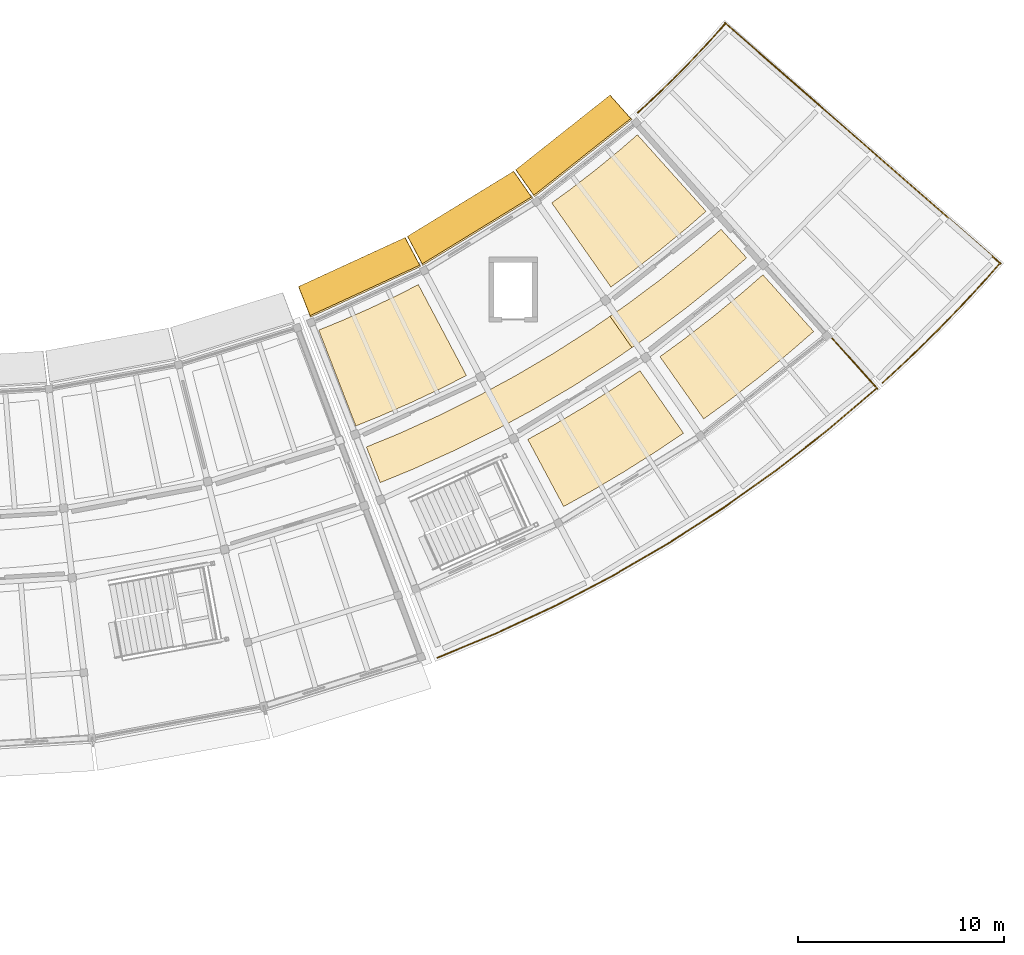
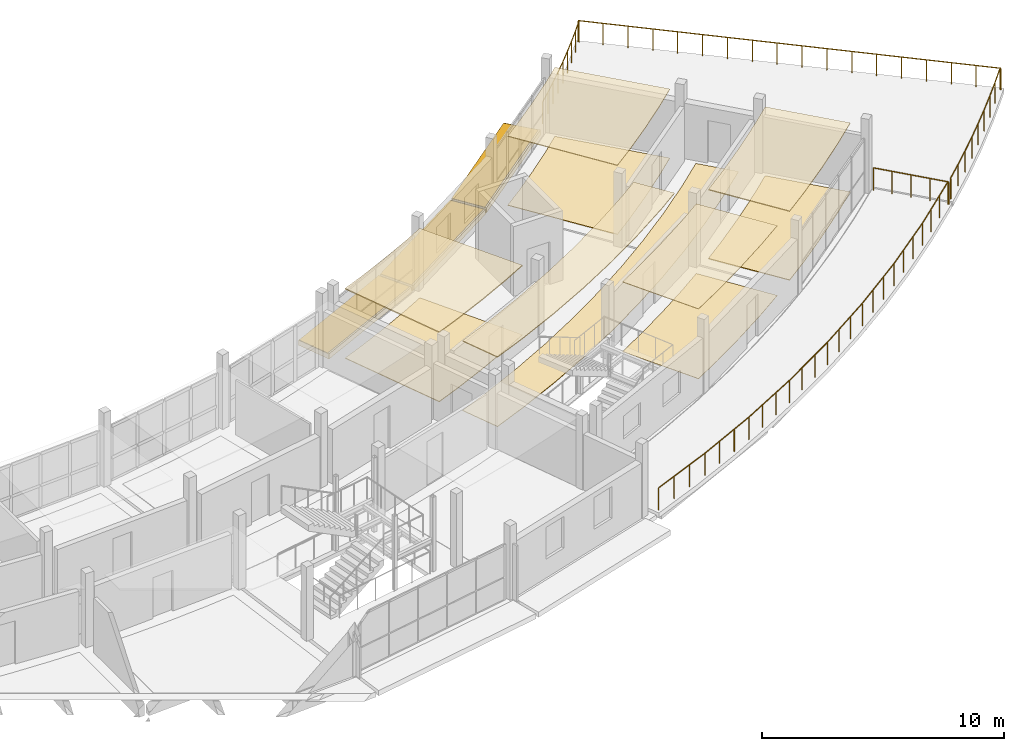
# One storey, part 36 of 36: 13 coverings, 5 railings, 3 shading devices.
"""IFC4 building model written with IfcOpenShell, lengths in metres."""

from ifc_helpers import new_model, si_unit, direction, frame, origin, origin_2d, place, context, subcontext, project, spatial, polyline, circle, outline, extrude, material, layer, layer_set, type_object, element, save


model = new_model("IFC4")

# Units and contexts
model_context = context("Model", 3, precision=1e-05, world=origin(), true_north=direction((0.0, 1.0)))
body_context = subcontext(model_context, "Body", "Model", "MODEL_VIEW")
ifc_project = project(units=[si_unit("LENGTHUNIT", "METRE"), si_unit("AREAUNIT", "SQUARE_METRE"), si_unit("VOLUMEUNIT", "CUBIC_METRE"), si_unit("PLANEANGLEUNIT", "RADIAN"), si_unit("MASSUNIT", "GRAM", prefix="KILO")], contexts=[model_context])

# Site, building, storey
site_placement = place(None, origin())
site = spatial("IfcSite", under=ifc_project, at=site_placement, CompositionType="ELEMENT")
building_placement = place(site_placement, origin())
building = spatial("IfcBuilding", under=site, at=building_placement, Name="Caldaven Crescent School", CompositionType="ELEMENT")
storey_placement = place(building_placement, frame((0.0, 0.0, 11.89990234375)))
storey = spatial("IfcBuildingStorey", under=building, at=storey_placement, Name="L03", CompositionType="ELEMENT", Elevation=11.89990234375)

# Coverings
ifc_material_1 = material(Name="White architectural GFRC precast concrete C35/45 cladding", Category="concrete")
ifc_layer_1 = layer(ifc_material_1, 0.260009765625)
ifc_layer_set_1 = layer_set([ifc_layer_1], Name="White architectural GFRC precast concrete C35/45 cladding")
covering_type_1 = type_object("IfcCoveringType", Name="COV-CLD2", PredefinedType="CLADDING", material=ifc_layer_set_1)
covering_1_placement = place(storey_placement, frame((0.0, 0.0, -0.260009765625)))
element("IfcCovering", 1, at=covering_1_placement, inside=storey, type_object=covering_type_1, Name="CLD-IN-L03-076", PredefinedType="CLADDING", context=body_context, shape_type="SweptSolid", body=[
    extrude(outline(polyline([(106.507568359375, 48.90625), (111.70849609375, 51.298095703125), (112.458251953125, 49.884521484375), (107.0927734375, 47.4169921875), (106.507568359375, 48.90625)])), origin(), (0.0, 0.0, 1.0), 0.260009765625),
])
covering_2_placement = place(storey_placement, frame((0.0, 0.0, -0.260009765625)))
element("IfcCovering", 2, at=covering_2_placement, inside=storey, type_object=covering_type_1, Name="CLD-IN-L03-077", PredefinedType="CLADDING", context=body_context, shape_type="SweptSolid", body=[
    extrude(outline(polyline([(111.802001953125, 51.34765625), (116.9794921875, 54.5205078125), (117.89599609375, 53.208984375), (112.5546875, 49.935791015625), (111.802001953125, 51.34765625)])), origin(), (0.0, 0.0, 1.0), 0.260009765625),
])
covering_3_placement = place(storey_placement, frame((0.0, 0.0, -0.260009765625)))
element("IfcCovering", 3, at=covering_3_placement, inside=storey, type_object=covering_type_1, Name="CLD-IN-L03-078", PredefinedType="CLADDING", context=body_context, shape_type="SweptSolid", body=[
    extrude(outline(polyline([(117.06640625, 54.581298828125), (121.6640625, 58.22314453125), (122.728515625, 57.028564453125), (117.9853515625, 53.271728515625), (117.06640625, 54.581298828125)])), origin(), (0.0, 0.0, 1.0), 0.260009765625),
])
ifc_material_2 = material(Name="Perforated Pino Radiata acoustic timber baffle ceiling", Category="wood")
ifc_layer_2 = layer(ifc_material_2, 0.030029296875)
ifc_layer_set_2 = layer_set([ifc_layer_2], Name="Perforated Pino Radiata acoustic timber baffle ceiling")
covering_type_2 = type_object("IfcCoveringType", Name="COV-CLG1", PredefinedType="CEILING", material=ifc_layer_set_2)
covering_4_placement = place(storey_placement, frame((0.0, 0.0, 3.510009765625)))
element("IfcCovering", 4, at=covering_4_placement, inside=storey, type_object=covering_type_2, Name="CLG-L03-180", PredefinedType="CEILING", context=body_context, shape_type="SweptSolid", body=[
    extrude(outline(polyline([(118.856201171875, 42.14306640625), (118.86767578125, 42.149658203125), (120.42578125, 43.0732421875), (120.43701171875, 43.080078125), (121.96728515625, 44.049072265625), (121.978515625, 44.056396484375), (123.112060546875, 44.82177734375), (125.227294921875, 41.7861328125), (123.998046875, 40.956298828125), (122.36474609375, 39.921875), (120.70166015625, 38.93603515625), (119.404052734375, 38.217529296875), (117.659423828125, 41.48046875), (118.856201171875, 42.14306640625)])), origin(), (0.0, 0.0, 1.0), 0.030029296875),
])
ifc_layer_3 = layer(ifc_material_2, 0.0380859375)
ifc_layer_set_3 = layer_set([ifc_layer_3], Name="Perforated Pino Radiata acoustic timber baffle ceiling")
covering_type_3 = type_object("IfcCoveringType", Name="COV-CLG2", PredefinedType="CEILING", material=ifc_layer_set_3)
covering_5_placement = place(storey_placement, frame((0.0, 0.0, 3.47216796875)))
element("IfcCovering", 5, at=covering_5_placement, inside=storey, type_object=covering_type_3, Name="CLG-L03-181", PredefinedType="CEILING", context=body_context, shape_type="SweptSolid", body=[
    extrude(outline(polyline([(119.712646484375, 53.6220703125), (119.72314453125, 53.6298828125), (120.944580078125, 54.572509765625), (120.954833984375, 54.580810546875), (122.14794921875, 55.55859375), (122.157958984375, 55.567138671875), (122.9873046875, 56.288818359375), (126.32421875, 52.5654296875), (125.379150390625, 51.742919921875), (124.062255859375, 50.66357421875), (122.714111328125, 49.623291015625), (121.7001953125, 48.88720703125), (118.822998046875, 52.976318359375), (119.712646484375, 53.6220703125)])), origin(), (0.0, 0.0, 1.0), 0.037841796875),
])
ifc_layer_4 = layer(ifc_material_2, 0.0458984375)
ifc_layer_set_4 = layer_set([ifc_layer_4], Name="Perforated Pino Radiata acoustic timber baffle ceiling")
covering_type_4 = type_object("IfcCoveringType", Name="COV-CLG3", PredefinedType="CEILING", material=ifc_layer_set_4)
covering_6_placement = place(storey_placement, frame((0.0, 0.0, 3.494140625)))
element("IfcCovering", 6, at=covering_6_placement, inside=storey, type_object=covering_type_4, Name="CLG-L03-178", PredefinedType="CEILING", context=body_context, shape_type="SweptSolid", body=[
    extrude(outline(polyline([(111.356201171875, 41.74365234375), (111.37109375, 41.75), (113.29052734375, 42.617919921875), (113.30517578125, 42.625), (115.1923828125, 43.56103515625), (115.206787109375, 43.568603515625), (117.05908203125, 44.572021484375), (117.072998046875, 44.580078125), (118.887939453125, 45.6494140625), (118.90185546875, 45.65771484375), (120.67724609375, 46.791748046875), (120.690673828125, 46.80078125), (121.65478515625, 47.46630859375), (122.720947265625, 45.942626953125), (121.713134765625, 45.246826171875), (119.86767578125, 44.068359375), (117.981201171875, 42.956787109375), (116.055908203125, 41.913818359375), (114.094482421875, 40.940673828125), (112.099365234375, 40.03857421875), (110.489501953125, 39.37939453125), (109.815673828125, 41.11279296875), (111.356201171875, 41.74365234375)])), origin(), (0.0, 0.0, 1.0), 0.0458984375),
])
covering_7_placement = place(storey_placement, frame((0.0, 0.0, 3.464111328125)))
element("IfcCovering", 7, at=covering_7_placement, inside=storey, type_object=covering_type_4, Name="CLG-L03-182", PredefinedType="CEILING", context=body_context, shape_type="SweptSolid", body=[
    extrude(outline(polyline([(125.189697265625, 46.304931640625), (125.2001953125, 46.312744140625), (126.63427734375, 47.41943359375), (126.644775390625, 47.427734375), (128.04541015625, 48.575927734375), (128.0556640625, 48.58447265625), (129.08740234375, 49.482421875), (131.556884765625, 46.72705078125), (130.43798828125, 45.75341796875), (128.942626953125, 44.52783203125), (127.412109375, 43.3466796875), (126.2119140625, 42.4755859375), (124.082763671875, 45.50146484375), (125.189697265625, 46.304931640625)])), origin(), (0.0, 0.0, 1.0), 0.0458984375),
])
ifc_layer_5 = layer(ifc_material_2, 0.053955078125)
ifc_layer_set_5 = layer_set([ifc_layer_5], Name="Perforated Pino Radiata acoustic timber baffle ceiling")
covering_type_5 = type_object("IfcCoveringType", Name="COV-CLG4", PredefinedType="CEILING", material=ifc_layer_set_5)
covering_8_placement = place(storey_placement, frame((0.0, 0.0, 3.486083984375)))
element("IfcCovering", 8, at=covering_8_placement, inside=storey, type_object=covering_type_5, Name="CLG-L03-179", PredefinedType="CEILING", context=body_context, shape_type="SweptSolid", body=[
    extrude(outline(polyline([(108.5185546875, 47.208984375), (108.53076171875, 47.214111328125), (109.943603515625, 47.8330078125), (109.955810546875, 47.83837890625), (111.349853515625, 48.498779296875), (111.36181640625, 48.504638671875), (112.341064453125, 49.004150390625), (114.677978515625, 44.584228515625), (113.56201171875, 44.014892578125), (112.023193359375, 43.285888671875), (110.46337890625, 42.6025390625), (109.3017578125, 42.1337890625), (107.4990234375, 46.797607421875), (108.5185546875, 47.208984375)])), origin(), (0.0, 0.0, 1.0), 0.053955078125),
])
ifc_material_3 = material(Name="Polished terrazzo and acoustic linoleum flooring")
ifc_layer_6 = layer(ifc_material_3, 0.02001953125)
ifc_layer_set_6 = layer_set([ifc_layer_6], Name="Polished terrazzo and acoustic linoleum flooring")
covering_type_6 = type_object("IfcCoveringType", Name="COV-FLR1", PredefinedType="FLOORING", material=ifc_layer_set_6)
covering_9_placement = place(storey_placement, origin())
element("IfcCovering", 9, at=covering_9_placement, inside=storey, type_object=covering_type_6, Name="FLR-L03-180", PredefinedType="FLOORING", context=body_context, shape_type="SweptSolid", body=[
    extrude(outline(polyline([(117.659423828125, 41.48046875), (118.856201171875, 42.14306640625), (118.86767578125, 42.149658203125), (120.42578125, 43.0732421875), (120.43701171875, 43.080078125), (121.96728515625, 44.049072265625), (121.978515625, 44.056396484375), (123.112060546875, 44.82177734375), (125.227294921875, 41.7861328125), (123.998046875, 40.956298828125), (122.36474609375, 39.921875), (120.70166015625, 38.93603515625), (119.404052734375, 38.217529296875), (117.659423828125, 41.48046875)])), origin(), (0.0, 0.0, 1.0), 0.02001953125),
])
ifc_layer_7 = layer(ifc_material_3, 0.02587890625)
ifc_layer_set_7 = layer_set([ifc_layer_7], Name="Polished terrazzo and acoustic linoleum flooring")
covering_type_7 = type_object("IfcCoveringType", Name="COV-FLR2", PredefinedType="FLOORING", material=ifc_layer_set_7)
covering_10_placement = place(storey_placement, origin())
element("IfcCovering", 10, at=covering_10_placement, inside=storey, type_object=covering_type_7, Name="FLR-L03-178", PredefinedType="FLOORING", context=body_context, shape_type="SweptSolid", body=[
    extrude(outline(polyline([(109.815673828125, 41.11279296875), (111.356201171875, 41.74365234375), (111.37109375, 41.75), (113.29052734375, 42.617919921875), (113.30517578125, 42.625), (115.1923828125, 43.56103515625), (115.206787109375, 43.568603515625), (117.05908203125, 44.572021484375), (117.072998046875, 44.580078125), (118.887939453125, 45.6494140625), (118.90185546875, 45.65771484375), (120.67724609375, 46.791748046875), (120.690673828125, 46.80078125), (122.42431640625, 47.99755859375), (122.437255859375, 48.007080078125), (124.126708984375, 49.265380859375), (124.1396484375, 49.275390625), (125.78271484375, 50.59375), (125.795166015625, 50.60400390625), (127.05517578125, 51.69189453125), (128.295654296875, 50.30615234375), (126.978759765625, 49.169189453125), (125.27099609375, 47.799072265625), (123.514892578125, 46.490966796875), (121.713134765625, 45.246826171875), (119.86767578125, 44.068359375), (117.981201171875, 42.956787109375), (116.055908203125, 41.913818359375), (114.094482421875, 40.940673828125), (112.099365234375, 40.03857421875), (110.489501953125, 39.37939453125), (109.815673828125, 41.11279296875)])), origin(), (0.0, 0.0, 1.0), 0.026123046875),
])
covering_11_placement = place(storey_placement, origin())
element("IfcCovering", 11, at=covering_11_placement, inside=storey, type_object=covering_type_7, Name="FLR-L03-181", PredefinedType="FLOORING", context=body_context, shape_type="SweptSolid", body=[
    extrude(outline(polyline([(118.822998046875, 52.976318359375), (119.712646484375, 53.6220703125), (119.72314453125, 53.6298828125), (120.944580078125, 54.572509765625), (120.954833984375, 54.580810546875), (122.14794921875, 55.55859375), (122.157958984375, 55.567138671875), (122.9873046875, 56.288818359375), (126.32421875, 52.5654296875), (125.379150390625, 51.742919921875), (124.062255859375, 50.66357421875), (122.714111328125, 49.623291015625), (121.7001953125, 48.88720703125), (118.822998046875, 52.976318359375)])), origin(), (0.0, 0.0, 1.0), 0.026123046875),
])
ifc_layer_8 = layer(ifc_material_3, 0.031982421875)
ifc_layer_set_8 = layer_set([ifc_layer_8], Name="Polished terrazzo and acoustic linoleum flooring")
covering_type_8 = type_object("IfcCoveringType", Name="COV-FLR3", PredefinedType="FLOORING", material=ifc_layer_set_8)
covering_12_placement = place(storey_placement, origin())
element("IfcCovering", 12, at=covering_12_placement, inside=storey, type_object=covering_type_8, Name="FLR-L03-179", PredefinedType="FLOORING", context=body_context, shape_type="SweptSolid", body=[
    extrude(outline(polyline([(107.4990234375, 46.797607421875), (108.5185546875, 47.208984375), (108.53076171875, 47.214111328125), (109.943603515625, 47.8330078125), (109.955810546875, 47.83837890625), (111.349853515625, 48.498779296875), (111.36181640625, 48.504638671875), (112.341064453125, 49.004150390625), (114.677978515625, 44.584228515625), (113.56201171875, 44.014892578125), (112.023193359375, 43.285888671875), (110.46337890625, 42.6025390625), (109.3017578125, 42.1337890625), (107.4990234375, 46.797607421875)])), origin(), (0.0, 0.0, 1.0), 0.031982421875),
])
covering_13_placement = place(storey_placement, origin())
element("IfcCovering", 13, at=covering_13_placement, inside=storey, type_object=covering_type_8, Name="FLR-L03-182", PredefinedType="FLOORING", context=body_context, shape_type="SweptSolid", body=[
    extrude(outline(polyline([(124.082763671875, 45.50146484375), (125.189697265625, 46.304931640625), (125.2001953125, 46.312744140625), (126.63427734375, 47.41943359375), (126.644775390625, 47.427734375), (128.04541015625, 48.575927734375), (128.0556640625, 48.58447265625), (129.08740234375, 49.482421875), (131.556884765625, 46.72705078125), (130.43798828125, 45.75341796875), (128.942626953125, 44.52783203125), (127.412109375, 43.3466796875), (126.2119140625, 42.4755859375), (124.082763671875, 45.50146484375)])), origin(), (0.0, 0.0, 1.0), 0.031982421875),
])

# Railings
ifc_material_4 = material(Name="Galvanised powder-coated steel balustrade ASTM A572 Grade 50", Category="steel")
railing_type_1 = type_object("IfcRailingType", Name="RAL-EXT1", PredefinedType="BALUSTRADE", material=ifc_material_4)
railing_1_placement = place(storey_placement, frame((134.906982421875, 44.229736328125, 0.0)))
element("IfcRailing", 14, at=railing_1_placement, inside=storey, type_object=railing_type_1, Name="GD-PD-L03-E-OUT", PredefinedType="BALUSTRADE", context=body_context, shape_type="SweptSolid", body=[
    extrude(circle(Radius=0.02392578125, at=origin_2d()), frame((0.0, 0.0, 1.076171875), z_axis=(0.73605985159, 0.676916460782, 0.0), x_axis=(-0.676916460782, 0.73605985159, 0.0)), (0.0, 0.0, 1.0), 1.01953125),
    extrude(circle(Radius=0.02392578125, at=origin_2d()), frame((0.75048828125, 0.690185546875, 1.076171875), z_axis=(0.726235761368, 0.687445720701, 0.0), x_axis=(-0.687445720701, 0.726235761368, 0.0)), (0.0, 0.0, 1.0), 1.01953125),
    extrude(circle(Radius=0.02392578125, at=origin_2d()), frame((1.490966796875, 1.39111328125, 1.076171875), z_axis=(0.716146730092, 0.697949755339, 0.0), x_axis=(-0.697949755339, 0.716146730092, 0.0)), (0.0, 0.0, 1.0), 1.019775390625),
    extrude(circle(Radius=0.02392578125, at=origin_2d()), frame((2.22119140625, 2.102783203125, 1.076171875), z_axis=(0.705668602357, 0.708542040847, 0.0), x_axis=(-0.708542040847, 0.705668602357, 0.0)), (0.0, 0.0, 1.0), 1.01953125),
    extrude(circle(Radius=0.02392578125, at=origin_2d()), frame((2.940673828125, 2.8251953125, 1.076171875), z_axis=(0.695521126415, 0.718505645566, 0.0), x_axis=(-0.718505645566, 0.695521126415, 0.0)), (0.0, 0.0, 1.0), 1.019775390625),
    extrude(circle(Radius=0.02392578125, at=origin_2d()), frame((3.64990234375, 3.557861328125, 1.076171875), z_axis=(0.684737124095, 0.728790141869, 0.0), x_axis=(-0.728790141869, 0.684737124095, 0.0)), (0.0, 0.0, 1.0), 1.019775390625),
    extrude(circle(Radius=0.02392578125, at=origin_2d()), frame((4.34814453125, 4.301025390625, 1.076171875), z_axis=(0.674161463339, 0.738583997491, 0.0), x_axis=(-0.738583997491, 0.674161463339, 0.0)), (0.0, 0.0, 1.0), 1.01953125),
    extrude(circle(Radius=0.02392578125, at=origin_2d()), frame((5.035400390625, 5.053955078125, 1.076171875), z_axis=(0.663203898473, 0.748438767736, 0.0), x_axis=(-0.748438767736, 0.663203898473, 0.0)), (0.0, 0.0, 1.0), 1.019775390625),
    extrude(circle(Radius=0.02099609375, at=origin_2d()), origin(), (0.0, 0.0, 1.0), 1.052001953125),
    extrude(circle(Radius=0.02099609375, at=origin_2d()), frame((0.75048828125, 0.690185546875, 0.0)), (0.0, 0.0, 1.0), 1.052001953125),
    extrude(circle(Radius=0.02099609375, at=origin_2d()), frame((1.490966796875, 1.39111328125, 0.0)), (0.0, 0.0, 1.0), 1.052001953125),
    extrude(circle(Radius=0.02099609375, at=origin_2d()), frame((2.22119140625, 2.102783203125, 0.0)), (0.0, 0.0, 1.0), 1.052001953125),
    extrude(circle(Radius=0.02099609375, at=origin_2d()), frame((2.940673828125, 2.8251953125, 0.0)), (0.0, 0.0, 1.0), 1.052001953125),
    extrude(circle(Radius=0.02099609375, at=origin_2d()), frame((3.64990234375, 3.557861328125, 0.0)), (0.0, 0.0, 1.0), 1.052001953125),
    extrude(circle(Radius=0.02099609375, at=origin_2d()), frame((4.34814453125, 4.301025390625, 0.0)), (0.0, 0.0, 1.0), 1.052001953125),
    extrude(circle(Radius=0.02099609375, at=origin_2d()), frame((5.035400390625, 5.053955078125, 0.0)), (0.0, 0.0, 1.0), 1.052001953125),
    extrude(circle(Radius=0.02099609375, at=origin_2d()), frame((5.711669921875, 5.817138671875, 0.0)), (0.0, 0.0, 1.0), 1.052001953125),
])
railing_2_placement = place(storey_placement, frame((123.009033203125, 57.361328125, 0.0)))
element("IfcRailing", 15, at=railing_2_placement, inside=storey, type_object=railing_type_1, Name="GD-PD-L03-E-IN", PredefinedType="BALUSTRADE", context=body_context, shape_type="SweptSolid", body=[
    extrude(circle(Radius=0.02392578125, at=origin_2d()), frame((0.0, 0.0, 1.076171875), z_axis=(0.736007741814, 0.676973119105, 0.0), x_axis=(-0.676973119105, 0.736007741814, 0.0)), (0.0, 0.0, 1.0), 0.760986328125),
    extrude(circle(Radius=0.02392578125, at=origin_2d()), frame((0.56005859375, 0.51513671875, 1.076171875), z_axis=(0.726247641752, 0.687433169733, 0.0), x_axis=(-0.687433169733, 0.726247641752, 0.0)), (0.0, 0.0, 1.0), 0.760986328125),
    extrude(circle(Radius=0.02392578125, at=origin_2d()), frame((1.11279296875, 1.038330078125, 1.076171875), z_axis=(0.716192575608, 0.697902711446, 0.0), x_axis=(-0.697902711446, 0.716192575608, 0.0)), (0.0, 0.0, 1.0), 0.7607421875),
    extrude(circle(Radius=0.02392578125, at=origin_2d()), frame((1.65771484375, 1.5693359375, 1.076171875), z_axis=(0.705822303378, 0.708388929935, 0.0), x_axis=(-0.708388929935, 0.705822303378, 0.0)), (0.0, 0.0, 1.0), 0.760986328125),
    extrude(circle(Radius=0.02392578125, at=origin_2d()), frame((2.19482421875, 2.1083984375, 1.076171875), z_axis=(0.695464174777, 0.718560770987, 0.0), x_axis=(-0.718560770987, 0.695464174777, 0.0)), (0.0, 0.0, 1.0), 0.760986328125),
    extrude(circle(Radius=0.02392578125, at=origin_2d()), frame((2.72412109375, 2.6552734375, 1.076171875), z_axis=(0.684623816208, 0.728896584079, 0.0), x_axis=(-0.728896584079, 0.684623816208, 0.0)), (0.0, 0.0, 1.0), 0.760986328125),
    extrude(circle(Radius=0.02392578125, at=origin_2d()), frame((3.2451171875, 3.2099609375, 1.076171875), z_axis=(0.674124799154, 0.738617461996, 0.0), x_axis=(-0.738617461996, 0.674124799154, 0.0)), (0.0, 0.0, 1.0), 0.760986328125),
    extrude(circle(Radius=0.02392578125, at=origin_2d()), frame((3.758056640625, 3.77197265625, 1.076171875), z_axis=(0.663327926797, 0.74832884585, 0.0), x_axis=(-0.74832884585, 0.663327926797, 0.0)), (0.0, 0.0, 1.0), 0.76123046875),
    extrude(circle(Radius=0.02099609375, at=origin_2d()), origin(), (0.0, 0.0, 1.0), 1.052001953125),
    extrude(circle(Radius=0.02099609375, at=origin_2d()), frame((0.56005859375, 0.51513671875, 0.0)), (0.0, 0.0, 1.0), 1.052001953125),
    extrude(circle(Radius=0.02099609375, at=origin_2d()), frame((1.11279296875, 1.038330078125, 0.0)), (0.0, 0.0, 1.0), 1.052001953125),
    extrude(circle(Radius=0.02099609375, at=origin_2d()), frame((1.65771484375, 1.5693359375, 0.0)), (0.0, 0.0, 1.0), 1.052001953125),
    extrude(circle(Radius=0.02099609375, at=origin_2d()), frame((2.19482421875, 2.1083984375, 0.0)), (0.0, 0.0, 1.0), 1.052001953125),
    extrude(circle(Radius=0.02099609375, at=origin_2d()), frame((2.72412109375, 2.6552734375, 0.0)), (0.0, 0.0, 1.0), 1.052001953125),
    extrude(circle(Radius=0.02099609375, at=origin_2d()), frame((3.2451171875, 3.2099609375, 0.0)), (0.0, 0.0, 1.0), 1.052001953125),
    extrude(circle(Radius=0.02099609375, at=origin_2d()), frame((3.758056640625, 3.77197265625, 0.0)), (0.0, 0.0, 1.0), 1.052001953125),
    extrude(circle(Radius=0.02099609375, at=origin_2d()), frame((4.262939453125, 4.341552734375, 0.0)), (0.0, 0.0, 1.0), 1.052001953125),
])
railing_3_placement = place(storey_placement, frame((127.24169921875, 61.729248046875, 0.0)))
element("IfcRailing", 16, at=railing_3_placement, inside=storey, type_object=railing_type_1, Name="GD-PD-L03-E-END", PredefinedType="BALUSTRADE", context=body_context, shape_type="SweptSolid", body=[
    extrude(circle(Radius=0.02392578125, at=origin_2d()), frame((0.0, 0.0, 1.076171875), z_axis=(0.753205083816, -0.657785756697, 0.0), x_axis=(0.657785756697, 0.753205083816, 0.0)), (0.0, 0.0, 1.0), 17.80029296875),
    extrude(circle(Radius=0.02099609375, at=origin_2d()), origin(), (0.0, 0.0, 1.0), 1.052001953125),
    extrude(circle(Radius=0.02099609375, at=origin_2d()), frame((0.78857421875, -0.688720703125, 0.0)), (0.0, 0.0, 1.0), 1.052001953125),
    extrude(circle(Radius=0.02099609375, at=origin_2d()), frame((1.577392578125, -1.37744140625, 0.0)), (0.0, 0.0, 1.0), 1.052001953125),
    extrude(circle(Radius=0.02099609375, at=origin_2d()), frame((2.365966796875, -2.066162109375, 0.0)), (0.0, 0.0, 1.0), 1.052001953125),
    extrude(circle(Radius=0.02099609375, at=origin_2d()), frame((3.154541015625, -2.7548828125, 0.0)), (0.0, 0.0, 1.0), 1.052001953125),
    extrude(circle(Radius=0.02099609375, at=origin_2d()), frame((3.943359375, -3.44384765625, 0.0)), (0.0, 0.0, 1.0), 1.052001953125),
    extrude(circle(Radius=0.02099609375, at=origin_2d()), frame((4.73193359375, -4.132568359375, 0.0)), (0.0, 0.0, 1.0), 1.052001953125),
    extrude(circle(Radius=0.02099609375, at=origin_2d()), frame((5.5205078125, -4.8212890625, 0.0)), (0.0, 0.0, 1.0), 1.052001953125),
    extrude(circle(Radius=0.02099609375, at=origin_2d()), frame((6.309326171875, -5.510009765625, 0.0)), (0.0, 0.0, 1.0), 1.052001953125),
    extrude(circle(Radius=0.02099609375, at=origin_2d()), frame((7.097900390625, -6.19873046875, 0.0)), (0.0, 0.0, 1.0), 1.052001953125),
    extrude(circle(Radius=0.02099609375, at=origin_2d()), frame((7.88671875, -6.887451171875, 0.0)), (0.0, 0.0, 1.0), 1.052001953125),
    extrude(circle(Radius=0.02099609375, at=origin_2d()), frame((8.67529296875, -7.576171875, 0.0)), (0.0, 0.0, 1.0), 1.052001953125),
    extrude(circle(Radius=0.02099609375, at=origin_2d()), frame((9.4638671875, -8.264892578125, 0.0)), (0.0, 0.0, 1.0), 1.052001953125),
    extrude(circle(Radius=0.02099609375, at=origin_2d()), frame((10.252685546875, -8.953857421875, 0.0)), (0.0, 0.0, 1.0), 1.052001953125),
    extrude(circle(Radius=0.02099609375, at=origin_2d()), frame((11.041259765625, -9.642578125, 0.0)), (0.0, 0.0, 1.0), 1.052001953125),
    extrude(circle(Radius=0.02099609375, at=origin_2d()), frame((11.829833984375, -10.331298828125, 0.0)), (0.0, 0.0, 1.0), 1.052001953125),
    extrude(circle(Radius=0.02099609375, at=origin_2d()), frame((12.61865234375, -11.02001953125, 0.0)), (0.0, 0.0, 1.0), 1.052001953125),
    extrude(circle(Radius=0.02099609375, at=origin_2d()), frame((13.4072265625, -11.708740234375, 0.0)), (0.0, 0.0, 1.0), 1.052001953125),
])
railing_type_2 = type_object("IfcRailingType", Name="RAL-EXT3", PredefinedType="BALUSTRADE", material=ifc_material_4)
railing_4_placement = place(storey_placement, frame((113.265380859375, 30.86865234375, 0.0)))
element("IfcRailing", 17, at=railing_4_placement, inside=storey, type_object=railing_type_2, Name="GD-BT-L03-E-OUT", PredefinedType="BALUSTRADE", context=body_context, shape_type="SweptSolid", body=[
    extrude(circle(Radius=0.02392578125, at=origin_2d()), frame((0.0, 0.0, 1.1259765625), z_axis=(0.923907249751, 0.382616510174, 0.0), x_axis=(-0.382616510174, 0.923907249751, 0.0)), (0.0, 0.0, 1.0), 3.149658203125),
    extrude(circle(Radius=0.02392578125, at=origin_2d()), frame((2.909912109375, 1.205078125, 1.1259765625), z_axis=(0.905752912637, 0.423806159995, 0.0), x_axis=(-0.423806159995, 0.905752912637, 0.0)), (0.0, 0.0, 1.0), 3.1494140625),
    extrude(circle(Radius=0.02392578125, at=origin_2d()), frame((5.762451171875, 2.539794921875, 1.1259765625), z_axis=(0.885705572536, 0.46424738963, 0.0), x_axis=(-0.46424738963, 0.885705572536, 0.0)), (0.0, 0.0, 1.0), 3.1494140625),
    extrude(circle(Radius=0.02392578125, at=origin_2d()), frame((8.552001953125, 4.001953125, 1.1259765625), z_axis=(0.863888523968, 0.503683053275, 0.0), x_axis=(-0.503683053275, 0.863888523968, 0.0)), (0.0, 0.0, 1.0), 3.149658203125),
    extrude(circle(Radius=0.02392578125, at=origin_2d()), frame((11.27294921875, 5.58837890625, 1.1259765625), z_axis=(0.840338791908, 0.542061541538, 0.0), x_axis=(-0.542061541538, 0.840338791908, 0.0)), (0.0, 0.0, 1.0), 3.149658203125),
    extrude(circle(Radius=0.02392578125, at=origin_2d()), frame((13.919677734375, 7.295654296875, 1.1259765625), z_axis=(0.81501471023, 0.579440266213, 0.0), x_axis=(-0.579440266213, 0.81501471023, 0.0)), (0.0, 0.0, 1.0), 3.1494140625),
    extrude(circle(Radius=0.02392578125, at=origin_2d()), frame((16.486572265625, 9.12060546875, 1.1259765625), z_axis=(0.788069031485, 0.615586875765, 0.0), x_axis=(-0.615586875765, 0.788069031485, 0.0)), (0.0, 0.0, 1.0), 3.1494140625),
    extrude(circle(Radius=0.02392578125, at=origin_2d()), frame((18.968505859375, 11.059326171875, 1.1259765625), z_axis=(0.759530103452, 0.650472153094, 0.0), x_axis=(-0.650472153094, 0.759530103452, 0.0)), (0.0, 0.0, 1.0), 3.149658203125),
    extrude(circle(Radius=0.02099609375, at=origin_2d()), origin(), (0.0, 0.0, 1.0), 1.101806640625),
    extrude(circle(Radius=0.02099609375, at=origin_2d()), frame((0.969970703125, 0.401611328125, 0.0)), (0.0, 0.0, 1.0), 1.101806640625),
    extrude(circle(Radius=0.02099609375, at=origin_2d()), frame((1.93994140625, 0.803466796875, 0.0)), (0.0, 0.0, 1.0), 1.101806640625),
    extrude(circle(Radius=0.02099609375, at=origin_2d()), frame((2.909912109375, 1.205078125, 0.0)), (0.0, 0.0, 1.0), 1.101806640625),
    extrude(circle(Radius=0.02099609375, at=origin_2d()), frame((3.86083984375, 1.64990234375, 0.0)), (0.0, 0.0, 1.0), 1.101806640625),
    extrude(circle(Radius=0.02099609375, at=origin_2d()), frame((4.8115234375, 2.094970703125, 0.0)), (0.0, 0.0, 1.0), 1.101806640625),
    extrude(circle(Radius=0.02099609375, at=origin_2d()), frame((5.762451171875, 2.539794921875, 0.0)), (0.0, 0.0, 1.0), 1.101806640625),
    extrude(circle(Radius=0.02099609375, at=origin_2d()), frame((6.6923828125, 3.027099609375, 0.0)), (0.0, 0.0, 1.0), 1.101806640625),
    extrude(circle(Radius=0.02099609375, at=origin_2d()), frame((7.6220703125, 3.5146484375, 0.0)), (0.0, 0.0, 1.0), 1.101806640625),
    extrude(circle(Radius=0.02099609375, at=origin_2d()), frame((8.552001953125, 4.001953125, 0.0)), (0.0, 0.0, 1.0), 1.101806640625),
    extrude(circle(Radius=0.02099609375, at=origin_2d()), frame((9.458984375, 4.53076171875, 0.0)), (0.0, 0.0, 1.0), 1.101806640625),
    extrude(circle(Radius=0.02099609375, at=origin_2d()), frame((10.365966796875, 5.0595703125, 0.0)), (0.0, 0.0, 1.0), 1.101806640625),
    extrude(circle(Radius=0.02099609375, at=origin_2d()), frame((11.27294921875, 5.58837890625, 0.0)), (0.0, 0.0, 1.0), 1.101806640625),
    extrude(circle(Radius=0.02099609375, at=origin_2d()), frame((12.1552734375, 6.157470703125, 0.0)), (0.0, 0.0, 1.0), 1.101806640625),
    extrude(circle(Radius=0.02099609375, at=origin_2d()), frame((13.037353515625, 6.7265625, 0.0)), (0.0, 0.0, 1.0), 1.101806640625),
    extrude(circle(Radius=0.02099609375, at=origin_2d()), frame((13.919677734375, 7.295654296875, 0.0)), (0.0, 0.0, 1.0), 1.101806640625),
    extrude(circle(Radius=0.02099609375, at=origin_2d()), frame((14.775390625, 7.904052734375, 0.0)), (0.0, 0.0, 1.0), 1.101806640625),
    extrude(circle(Radius=0.02099609375, at=origin_2d()), frame((15.630859375, 8.51220703125, 0.0)), (0.0, 0.0, 1.0), 1.101806640625),
    extrude(circle(Radius=0.02099609375, at=origin_2d()), frame((16.486572265625, 9.12060546875, 0.0)), (0.0, 0.0, 1.0), 1.101806640625),
    extrude(circle(Radius=0.02099609375, at=origin_2d()), frame((17.31396484375, 9.766845703125, 0.0)), (0.0, 0.0, 1.0), 1.101806640625),
    extrude(circle(Radius=0.02099609375, at=origin_2d()), frame((18.14111328125, 10.4130859375, 0.0)), (0.0, 0.0, 1.0), 1.101806640625),
    extrude(circle(Radius=0.02099609375, at=origin_2d()), frame((18.968505859375, 11.059326171875, 0.0)), (0.0, 0.0, 1.0), 1.101806640625),
    extrude(circle(Radius=0.02099609375, at=origin_2d()), frame((19.765869140625, 11.7421875, 0.0)), (0.0, 0.0, 1.0), 1.101806640625),
    extrude(circle(Radius=0.02099609375, at=origin_2d()), frame((20.5634765625, 12.42529296875, 0.0)), (0.0, 0.0, 1.0), 1.101806640625),
    extrude(circle(Radius=0.02099609375, at=origin_2d()), frame((21.36083984375, 13.108154296875, 0.0)), (0.0, 0.0, 1.0), 1.101806640625),
])
railing_5_placement = place(storey_placement, frame((132.463623046875, 46.389404296875, 0.0)))
element("IfcRailing", 18, at=railing_5_placement, inside=storey, type_object=railing_type_2, Name="GD-BT-L03-E-END0", PredefinedType="BALUSTRADE", context=body_context, shape_type="SweptSolid", body=[
    extrude(circle(Radius=0.02392578125, at=origin_2d()), frame((0.0, 0.0, 1.1259765625), z_axis=(0.667458211328, -0.744647256176, 0.0), x_axis=(0.744647256176, 0.667458211328, 0.0)), (0.0, 0.0, 1.0), 3.280029296875),
    extrude(circle(Radius=0.02099609375, at=origin_2d()), origin(), (0.0, 0.0, 1.0), 1.101806640625),
    extrude(circle(Radius=0.02099609375, at=origin_2d()), frame((0.54736328125, -0.610595703125, 0.0)), (0.0, 0.0, 1.0), 1.101806640625),
    extrude(circle(Radius=0.02099609375, at=origin_2d()), frame((1.0947265625, -1.22119140625, 0.0)), (0.0, 0.0, 1.0), 1.101806640625),
    extrude(circle(Radius=0.02099609375, at=origin_2d()), frame((1.641845703125, -1.831787109375, 0.0)), (0.0, 0.0, 1.0), 1.101806640625),
    extrude(circle(Radius=0.02099609375, at=origin_2d()), frame((2.189208984375, -2.4423828125, 0.0)), (0.0, 0.0, 1.0), 1.101806640625),
])

# Shading devices
ifc_material_5 = material(Name="Precast concrete C35/45", Category="concrete")
ifc_layer_9 = layer(ifc_material_5, 0.1201171875)
ifc_layer_set_9 = layer_set([ifc_layer_9], Name="Precast concrete C35/45")
shading_device_type = type_object("IfcShadingDeviceType", Name="SHD-S03", PredefinedType="AWNING", material=ifc_layer_set_9)
shading_device_1_placement = place(storey_placement, frame((0.0, 0.0, -0.119873046875)))
element("IfcShadingDevice", 19, at=shading_device_1_placement, inside=storey, type_object=shading_device_type, Name="SHD-LDG-L03-058", PredefinedType="AWNING", context=body_context, shape_type="SweptSolid", body=[
    extrude(outline(polyline([(106.52392578125, 48.91259765625), (111.69287109375, 51.289794921875), (112.404541015625, 49.946533203125), (107.08056640625, 47.498046875), (106.52392578125, 48.91259765625)])), origin(), (0.0, 0.0, 1.0), 0.119873046875),
])
shading_device_2_placement = place(storey_placement, frame((0.0, 0.0, -0.119873046875)))
element("IfcShadingDevice", 20, at=shading_device_2_placement, inside=storey, type_object=shading_device_type, Name="SHD-LDG-L03-059", PredefinedType="AWNING", context=body_context, shape_type="SweptSolid", body=[
    extrude(outline(polyline([(111.817626953125, 51.35595703125), (116.965087890625, 54.510498046875), (117.835205078125, 53.26416015625), (112.533203125, 50.014892578125), (111.817626953125, 51.35595703125)])), origin(), (0.0, 0.0, 1.0), 0.119873046875),
])
shading_device_3_placement = place(storey_placement, frame((0.0, 0.0, -0.119873046875)))
element("IfcShadingDevice", 21, at=shading_device_3_placement, inside=storey, type_object=shading_device_type, Name="SHD-LDG-L03-060", PredefinedType="AWNING", context=body_context, shape_type="SweptSolid", body=[
    extrude(outline(polyline([(117.080810546875, 54.591552734375), (121.65087890625, 58.21142578125), (122.66162109375, 57.076171875), (117.954345703125, 53.34765625), (117.080810546875, 54.591552734375)])), origin(), (0.0, 0.0, 1.0), 0.119873046875),
])

save(model, "model.ifc")
